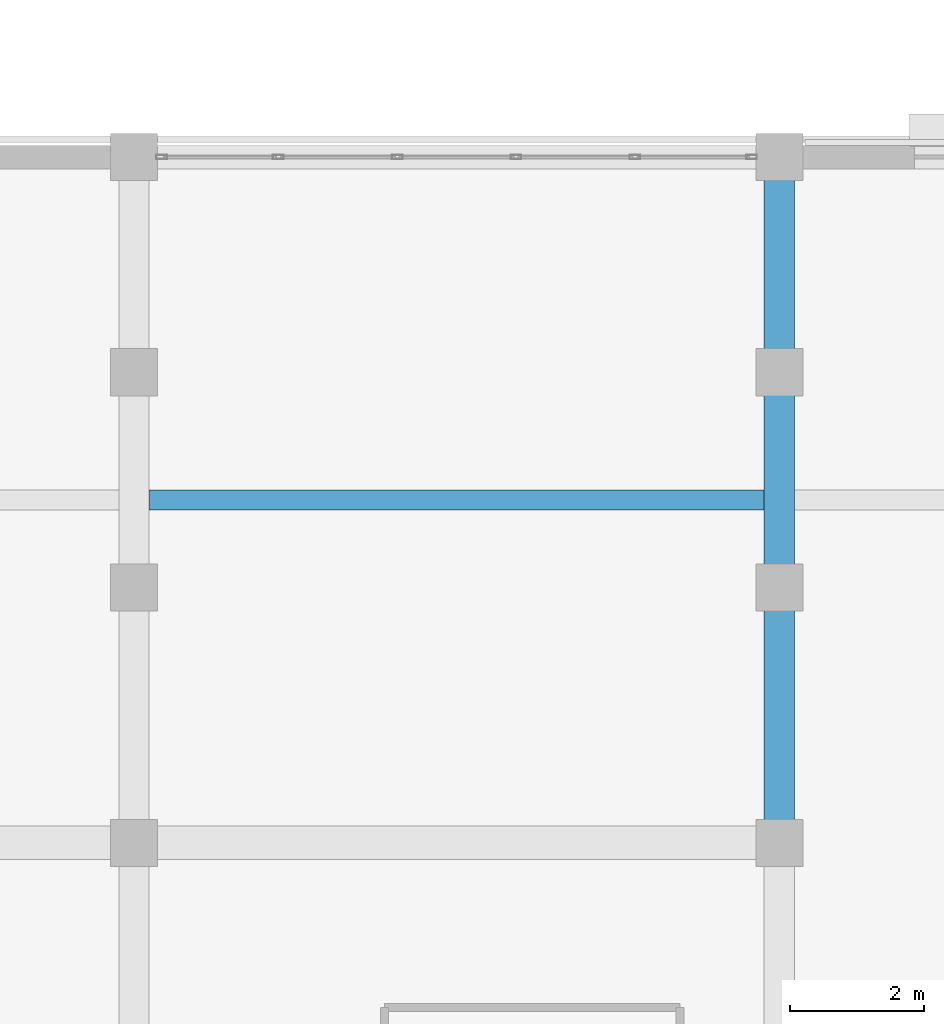
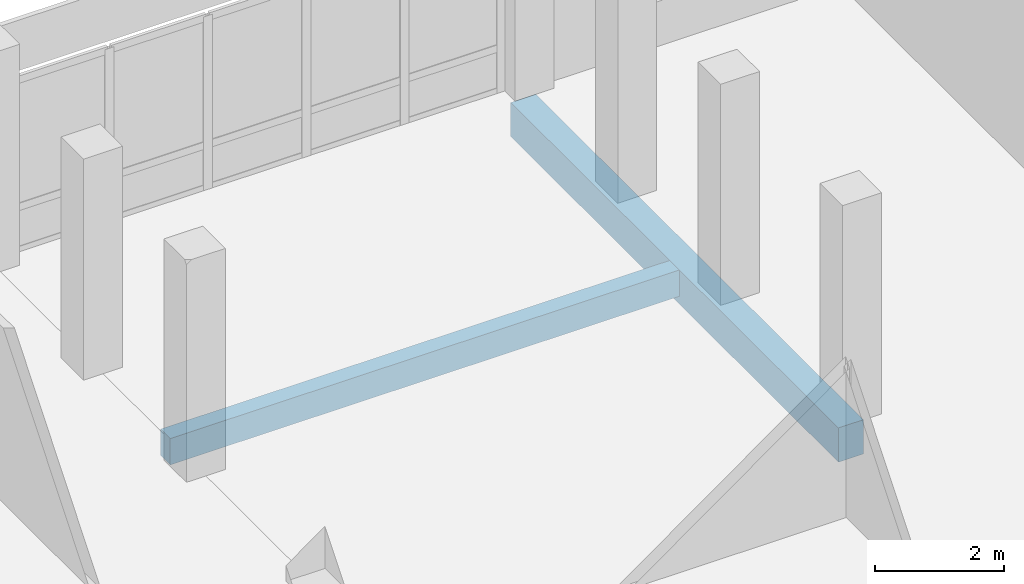
# One storey, part 32 of 185: 2 beams.
"""IFC4 building model written with IfcOpenShell, lengths in metres."""

from ifc_helpers import new_model, si_unit, direction, frame, origin, origin_2d, place, context, subcontext, project, spatial, rectangle, extrude, material, material_profile, profile_set, type_object, element, save


model = new_model("IFC4")

# Units and contexts
model_context = context("Model", 3, precision=1e-05, world=origin(), true_north=direction((0.0, 1.0)))
body_context = subcontext(model_context, "Body", "Model", "MODEL_VIEW")
ifc_project = project(units=[si_unit("LENGTHUNIT", "METRE"), si_unit("AREAUNIT", "SQUARE_METRE"), si_unit("VOLUMEUNIT", "CUBIC_METRE"), si_unit("PLANEANGLEUNIT", "RADIAN"), si_unit("MASSUNIT", "GRAM", prefix="KILO")], contexts=[model_context])

# Site, building, storey
site_placement = place(None, origin())
site = spatial("IfcSite", under=ifc_project, at=site_placement, CompositionType="ELEMENT")
building_placement = place(site_placement, origin())
building = spatial("IfcBuilding", under=site, at=building_placement, Name="Vondelvale Polytechnic", CompositionType="ELEMENT")
storey_placement = place(building_placement, frame((0.0, 0.0, 9.60009765625)))
storey = spatial("IfcBuildingStorey", under=building, at=storey_placement, Name="L02", CompositionType="ELEMENT", Elevation=9.60009765625)

# Beams
ifc_material = material(Name="Concrete N40 (f'c = 40 MPa)", Category="concrete")
ifc_material_profile_1 = material_profile(ifc_material, rectangle(XDim=0.449951171875, YDim=0.64990234375, at=origin_2d()), Name="RC-BM-450x650")
ifc_profile_set_1 = profile_set([ifc_material_profile_1], Name="Concrete N40 (f'c = 40 MPa)")
beam_type_1 = type_object("IfcBeamType", Name="BM-RC450x650", PredefinedType="BEAM", material=ifc_profile_set_1)
beam_1_placement = place(storey_placement, frame((28.800048828125, 30.60009765625, -0.60498046875), z_axis=(0.0, 1.0, 0.0), x_axis=(-1.0, 0.0, 0.0)))
element("IfcBeam", 1, at=beam_1_placement, inside=storey, type_object=beam_type_1, Name="L02 B B-04", PredefinedType="BEAM", context=body_context, shape_type="SweptSolid", body=[
    extrude(rectangle(XDim=0.449951171875, YDim=0.64990234375, at=origin_2d()), origin(), (0.0, 0.0, 1.0), 10.199951171875),
])
ifc_material_profile_2 = material_profile(ifc_material, rectangle(XDim=0.300048828125, YDim=0.5, at=origin_2d()), Name="RC-JST-300x500")
ifc_profile_set_2 = profile_set([ifc_material_profile_2], Name="Concrete N40 (f'c = 40 MPa)")
beam_type_2 = type_object("IfcBeamType", Name="JST-RC300x500", PredefinedType="JOIST", material=ifc_profile_set_2)
beam_2_placement = place(storey_placement, frame((19.425048828125, 35.699951171875, -0.530029296875), z_axis=(1.0, 0.0, 0.0), x_axis=(0.0, 1.0, 0.0)))
element("IfcBeam", 2, at=beam_2_placement, inside=storey, type_object=beam_type_2, Name="L02 J J-02", PredefinedType="JOIST", context=body_context, shape_type="SweptSolid", body=[
    extrude(rectangle(XDim=0.300048828125, YDim=0.5, at=origin_2d()), origin(), (0.0, 0.0, 1.0), 9.14990234375),
])

save(model, "model.ifc")
